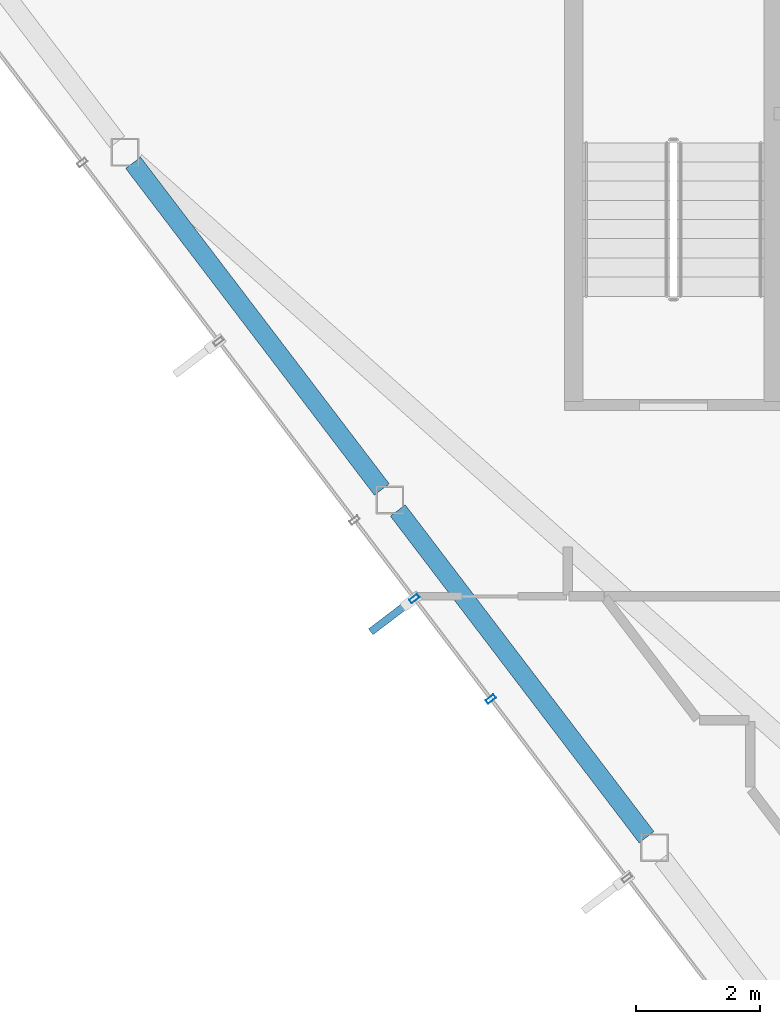
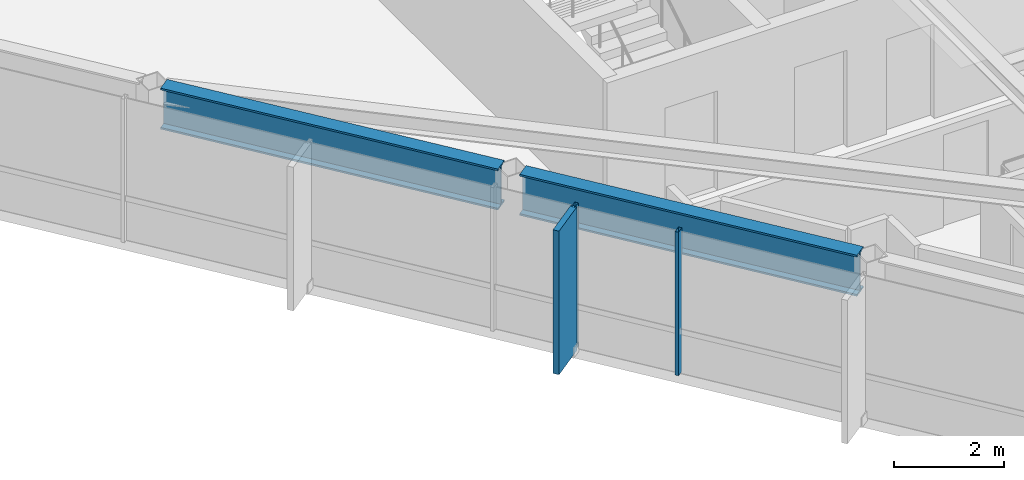
# One storey, part 3 of 23: 3 members, 2 beams, 1 element without a shape of its own.
"""IFC4 building model written with IfcOpenShell, lengths in metres."""

from ifc_helpers import new_model, si_unit, direction, frame, origin, origin_2d, place, context, subcontext, project, spatial, rectangle, hollow_rectangle, i_section, extrude, material, layer, layer_set, material_profile, profile_set, type_object, element, aggregate, save


model = new_model("IFC4")

# Units and contexts
model_context = context("Model", 3, precision=1e-05, world=origin(), true_north=direction((0.0, 1.0)))
body_context = subcontext(model_context, "Body", "Model", "MODEL_VIEW")
ifc_project = project(units=[si_unit("LENGTHUNIT", "METRE"), si_unit("AREAUNIT", "SQUARE_METRE"), si_unit("VOLUMEUNIT", "CUBIC_METRE"), si_unit("PLANEANGLEUNIT", "RADIAN"), si_unit("MASSUNIT", "GRAM", prefix="KILO")], contexts=[model_context])

# Site, building, storey
site_placement = place(None, origin())
site = spatial("IfcSite", under=ifc_project, at=site_placement, CompositionType="ELEMENT")
building_placement = place(site_placement, origin())
building = spatial("IfcBuilding", under=site, at=building_placement, Name="Zarrinselat Tower", CompositionType="ELEMENT")
storey_placement = place(building_placement, frame((0.0, 0.0, 282.199951171875)))
storey = spatial("IfcBuildingStorey", under=building, at=storey_placement, Name="L72", CompositionType="ELEMENT", Elevation=282.199951171875)

# Beams
ifc_material_1 = material(Name="Steel S460M", Category="steel")
ifc_material_profile_1 = material_profile(ifc_material_1, i_section(OverallWidth=0.302001953125, OverallDepth=0.909912109375, WebThickness=0.02099609375, FlangeThickness=0.0400390625, at=origin_2d()), Name="HEM 900")
ifc_profile_set_1 = profile_set([ifc_material_profile_1], Name="Steel S460M")
beam_type = type_object("IfcBeamType", Name="BM-HEM900", PredefinedType="BEAM", material=ifc_profile_set_1)
for number, where, z_axis, x_axis, name in (
    (1, (21.526611328125, 37.156982421875, 2.72509765625), (0.605770506968, -0.795639423915, 0.0), (0.795639423915, 0.605770506968, 0.0), "L72 Perimeter Spandrel Girder SP07"),
    (2, (25.8046875, 31.537841796875, 2.72509765625), (0.605770506968, -0.795639423915, 0.0), (0.795639423915, 0.605770506968, 0.0), "L72 Perimeter Spandrel Girder SP08"),
):
    element("IfcBeam", number, at=place(storey_placement, frame(where, z_axis=z_axis, x_axis=x_axis)), inside=storey, type_object=beam_type, Name=name, PredefinedType="BEAM", context=body_context, shape_type="SweptSolid", body=[
        extrude(i_section(OverallWidth=0.302001953125, OverallDepth=0.909912109375, WebThickness=0.02099609375, FlangeThickness=0.0400390625, at=origin_2d()), origin(), (0.0, 0.0, 1.0), 6.63623046875),
    ])

# Curtain wall, members
ifc_material_2 = material(Name="Extruded Aluminium Alloy EN AW-6063 T6", Category="aluminium")
ifc_layer = layer(ifc_material_2, 0.169921875)
ifc_layer_set = layer_set([ifc_layer], Name="Extruded Aluminium Alloy EN AW-6063 T6")
curtain_wall_type = type_object("IfcCurtainWallType", Name="CWS-RES", PredefinedType="NOTDEFINED", material=ifc_layer_set)
curtain_wall_placement = place(storey_placement, origin())
curtain_wall = element("IfcCurtainWall", 3, at=curtain_wall_placement, inside=storey, type_object=curtain_wall_type, Name="L72 Unitised Curtain Wall CW-L72-E03", PredefinedType="NOTDEFINED")
ifc_material_3 = material(Name="Extruded Aluminium Alloy EN AW-6063 T6", Category="aluminium")
ifc_material_profile_2 = material_profile(ifc_material_3, hollow_rectangle(XDim=0.070068359375, YDim=0.159912109375, WallThickness=0.00390625, at=origin_2d()), Name="RHS 160x70x4")
ifc_profile_set_2 = profile_set([ifc_material_profile_2], Name="Extruded Aluminium Alloy EN AW-6063 T6")
member_type_1 = type_object("IfcMemberType", Name="MEM-CW-MUL2", PredefinedType="MULLION", material=ifc_profile_set_2)
member_1_placement = place(storey_placement, frame((26.072021484375, 30.11376953125, 0.0), z_axis=(0.0, 0.0, 1.0), x_axis=(0.60576733126, -0.795641841772, 0.0)))
member_1 = element("IfcMember", 4, at=member_1_placement, type_object=member_type_1, Name="CW-L72-E03 Mullion 5", PredefinedType="MULLION", context=body_context, shape_type="SweptSolid", body=[
    extrude(hollow_rectangle(XDim=0.070068359375, YDim=0.159912109375, WallThickness=0.00390625, at=origin_2d()), origin(), (0.0, 0.0, 1.0), 3.179931640625),
])
member_2_placement = place(storey_placement, frame((27.3076171875, 28.490966796875, 0.0), z_axis=(0.0, 0.0, 1.0), x_axis=(0.60576733126, -0.795641841772, 0.0)))
member_2 = element("IfcMember", 5, at=member_2_placement, type_object=member_type_1, Name="CW-L72-E03 Mullion 6", PredefinedType="MULLION", context=body_context, shape_type="SweptSolid", body=[
    extrude(hollow_rectangle(XDim=0.070068359375, YDim=0.159912109375, WallThickness=0.00390625, at=origin_2d()), origin(), (0.0, 0.0, 1.0), 3.179931640625),
])
ifc_material_4 = material(Name="Honed Cream Travertine Stone", Category="masonry")
ifc_material_profile_3 = material_profile(ifc_material_4, rectangle(XDim=0.1201171875, YDim=0.85009765625, at=origin_2d()), Name="FIN 850x120")
ifc_profile_set_3 = profile_set([ifc_material_profile_3], Name="Honed Cream Travertine Stone")
member_type_2 = type_object("IfcMemberType", Name="MEM-STONE-FIN", PredefinedType="USERDEFINED", material=ifc_profile_set_3)
member_3_placement = place(storey_placement, frame((25.7060546875, 29.8349609375, 0.0), z_axis=(0.0, 0.0, 1.0), x_axis=(-0.60576733126, 0.795641841772, 0.0)))
member_3 = element("IfcMember", 6, at=member_3_placement, type_object=member_type_2, Name="L72 Stone Shading Fin CW-L72-E03-05", ObjectType="FIN", PredefinedType="USERDEFINED", context=body_context, shape_type="SweptSolid", body=[
    extrude(rectangle(XDim=0.1201171875, YDim=0.85009765625, at=origin_2d()), origin(), (0.0, 0.0, 1.0), 3.179931640625),
])
aggregate(curtain_wall, [member_1, member_3, member_2])

save(model, "model.ifc")
